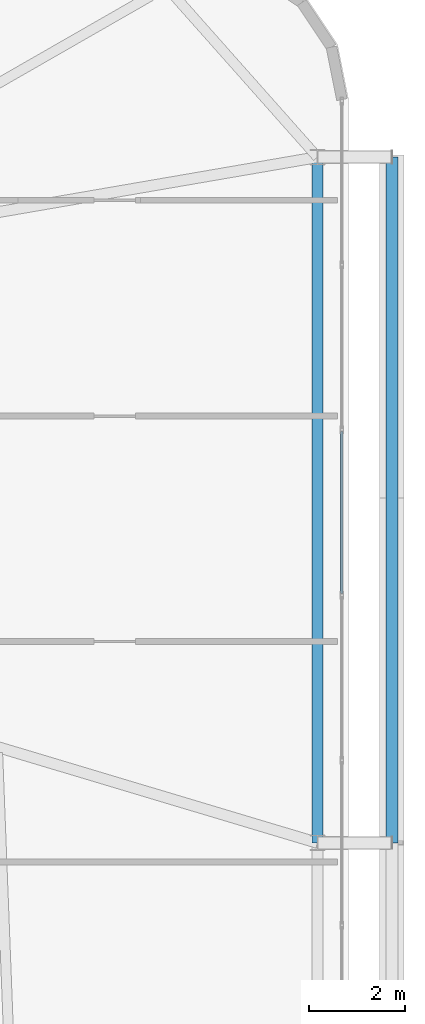
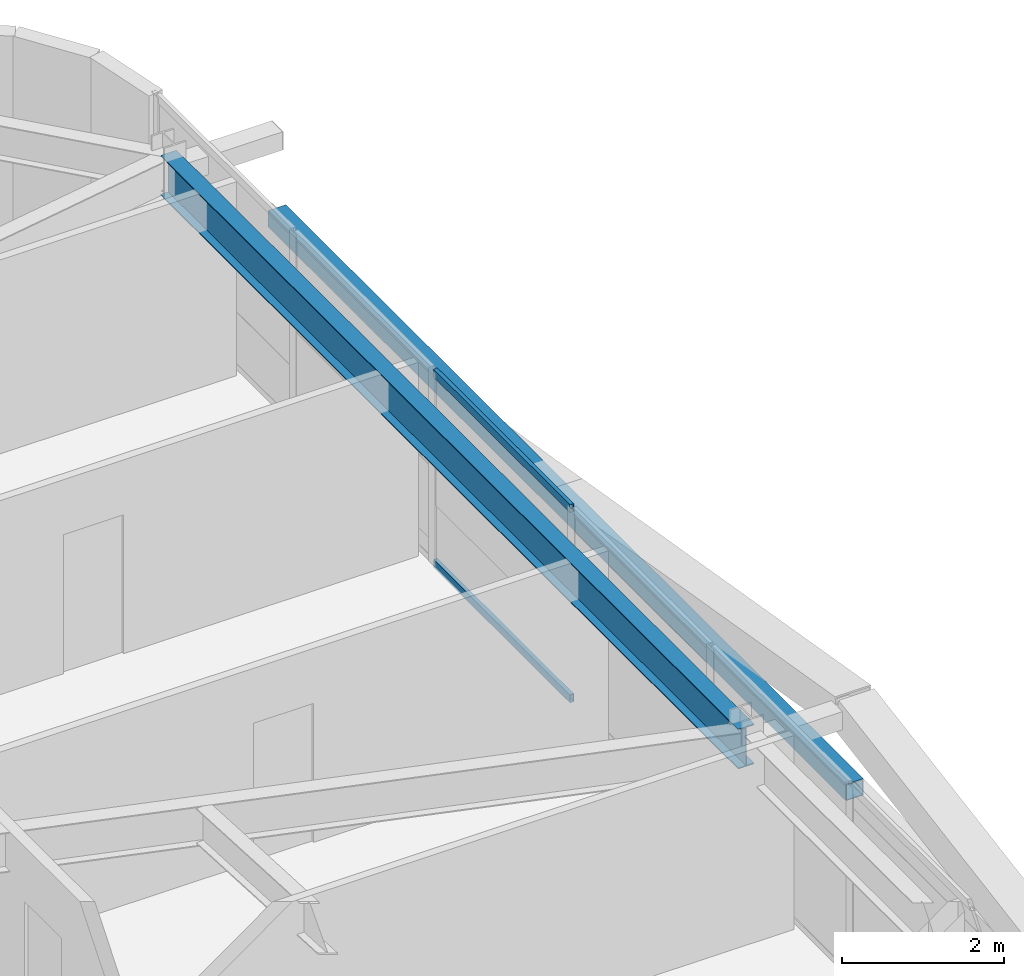
# One storey, part 31 of 59: 3 members, 1 beam, 1 element without a shape of its own.
"""IFC4 building model written with IfcOpenShell, lengths in metres."""

from ifc_helpers import new_model, si_unit, direction, frame, origin, origin_2d, place, context, subcontext, project, spatial, hollow_rectangle, i_section, extrude, source, transform, mapped, material, layer, layer_set, material_profile, profile_set, type_object, element, aggregate, save


model = new_model("IFC4")

# Units and contexts
model_context = context("Model", 3, precision=1e-05, world=origin(), true_north=direction((0.0, 1.0)))
body_context = subcontext(model_context, "Body", "Model", "MODEL_VIEW")
ifc_project = project(units=[si_unit("LENGTHUNIT", "METRE"), si_unit("AREAUNIT", "SQUARE_METRE"), si_unit("VOLUMEUNIT", "CUBIC_METRE"), si_unit("PLANEANGLEUNIT", "RADIAN"), si_unit("MASSUNIT", "GRAM", prefix="KILO")], contexts=[model_context])

# Site, building, storey
site_placement = place(None, origin())
site = spatial("IfcSite", under=ifc_project, at=site_placement, CompositionType="ELEMENT")
building_placement = place(site_placement, origin())
building = spatial("IfcBuilding", under=site, at=building_placement, Name="Taldren Reach Tower", CompositionType="ELEMENT")
storey_placement = place(building_placement, frame((0.0, 0.0, 23.10009765625)))
storey = spatial("IfcBuildingStorey", under=building, at=storey_placement, Name="L06", CompositionType="ELEMENT", Elevation=23.10009765625)

# Beam
ifc_material_1 = material(Name="Steel Gr 350 (350PLUS)", Category="steel")
ifc_material_profile_1 = material_profile(ifc_material_1, i_section(OverallWidth=0.22802734375, OverallDepth=0.60205078125, WebThickness=0.010498046875, FlangeThickness=0.014892578125, at=origin_2d()), Name="610UB101")
ifc_profile_set_1 = profile_set([ifc_material_profile_1], Name="Steel Gr 350 (350PLUS)")
beam_type = type_object("IfcBeamType", Name="BM-UB610B", PredefinedType="BEAM", material=ifc_profile_set_1)
shared_shape_1 = source(origin(), body_context, "Body", "SweptSolid", [
    extrude(i_section(OverallWidth=0.22802734375, OverallDepth=0.60205078125, WebThickness=0.010498046875, FlangeThickness=0.014892578125, at=origin_2d()), origin(), (0.0, 0.0, 1.0), 14.300048828125),
])
beam_placement = place(storey_placement, frame((64.35009765625, 20.0, 2.62890625), z_axis=(0.0, 1.0, 0.0), x_axis=(-1.0, 0.0, 0.0)))
element("IfcBeam", 1, at=beam_placement, inside=storey, type_object=beam_type, Name="Perimeter gable girder B1 E2-E3 L06", PredefinedType="BEAM", context=body_context, shape_type="MappedRepresentation", body=[
    mapped(shared_shape_1, transform((0.0, 0.0, 0.0), scale=1.0)),
])

# Member
ifc_material_2 = material(Name="Steel Gr 350 (C350L0)", Category="steel")
ifc_material_profile_2 = material_profile(ifc_material_2, hollow_rectangle(XDim=0.25, YDim=0.25, WallThickness=0.010009765625, at=origin_2d()), Name="250x250x10.0SHS")
ifc_profile_set_2 = profile_set([ifc_material_profile_2], Name="Steel Gr 350 (C350L0)")
member_type_1 = type_object("IfcMemberType", Name="MB-POST250", PredefinedType="POST", material=ifc_profile_set_2)
shared_shape_2 = source(origin(), body_context, "Body", "SweptSolid", [
    extrude(hollow_rectangle(XDim=0.25, YDim=0.25, WallThickness=0.010009765625, at=origin_2d()), origin(), (0.0, 0.0, 1.0), 14.300048828125),
])
member_1_placement = place(storey_placement, frame((65.89990234375, 20.0, 1.434814453125), z_axis=(0.0, 1.0, 0.0), x_axis=(-1.0, 0.0, 0.0)))
element("IfcMember", 2, at=member_1_placement, inside=storey, type_object=member_type_1, Name="Exoskeleton mid-height ring chord B1-E2 L06", PredefinedType="POST", context=body_context, shape_type="MappedRepresentation", body=[
    mapped(shared_shape_2, transform((0.0, 0.0, 0.0), scale=1.0)),
])

# Curtain wall, members
ifc_material_3 = material(Name="Aluminium and Low-E Glass Unitised System", Category="aluminium")
ifc_layer = layer(ifc_material_3, 0.159912109375)
ifc_layer_set = layer_set([ifc_layer], Name="Aluminium and Low-E Glass Unitised System")
curtain_wall_type = type_object("IfcCurtainWallType", Name="CW-SYS-2", PredefinedType="NOTDEFINED", material=ifc_layer_set)
curtain_wall_placement = place(storey_placement, origin())
curtain_wall = element("IfcCurtainWall", 3, at=curtain_wall_placement, inside=storey, type_object=curtain_wall_type, Name="Unitised curtain wall CW-L06-E", PredefinedType="NOTDEFINED")
ifc_material_4 = material(Name="Anodised Aluminium 6063-T6", Category="aluminium")
ifc_material_profile_3 = material_profile(ifc_material_4, hollow_rectangle(XDim=0.054931640625, YDim=0.1201171875, WallThickness=0.0029296875, at=origin_2d()), Name="ALU-120x55x3RHS")
ifc_profile_set_3 = profile_set([ifc_material_profile_3], Name="Anodised Aluminium 6063-T6")
member_type_2 = type_object("IfcMemberType", Name="CW-TRN-135", PredefinedType="USERDEFINED", material=ifc_profile_set_3)
shared_shape_3 = source(origin(), body_context, "Body", "SweptSolid", [
    extrude(hollow_rectangle(XDim=0.054931640625, YDim=0.1201171875, WallThickness=0.0029296875, at=origin_2d()), origin(), (0.0, 0.0, 1.0), 3.37939453125),
])
member_2_placement = place(storey_placement, frame((64.860107421875, 25.19921875, 0.02734375), z_axis=(0.0, 1.0, 0.0), x_axis=(-1.0, 0.0, 0.0)))
member_2 = element("IfcMember", 4, at=member_2_placement, type_object=member_type_2, Name="CW-2 transom 7.1", ObjectType="TRANSOM", PredefinedType="USERDEFINED", context=body_context, shape_type="MappedRepresentation", body=[
    mapped(shared_shape_3, transform((0.0, 0.0, 0.0), scale=1.0)),
])
member_3_placement = place(storey_placement, frame((64.860107421875, 25.19921875, 2.90234375), z_axis=(0.0, 1.0, 0.0), x_axis=(-1.0, 0.0, 0.0)))
member_3 = element("IfcMember", 5, at=member_3_placement, type_object=member_type_2, Name="CW-2 transom 7.2", ObjectType="TRANSOM", PredefinedType="USERDEFINED", context=body_context, shape_type="MappedRepresentation", body=[
    mapped(shared_shape_3, transform((0.0, 0.0, 0.0), scale=1.0)),
])
aggregate(curtain_wall, [member_2, member_3])

save(model, "model.ifc")
